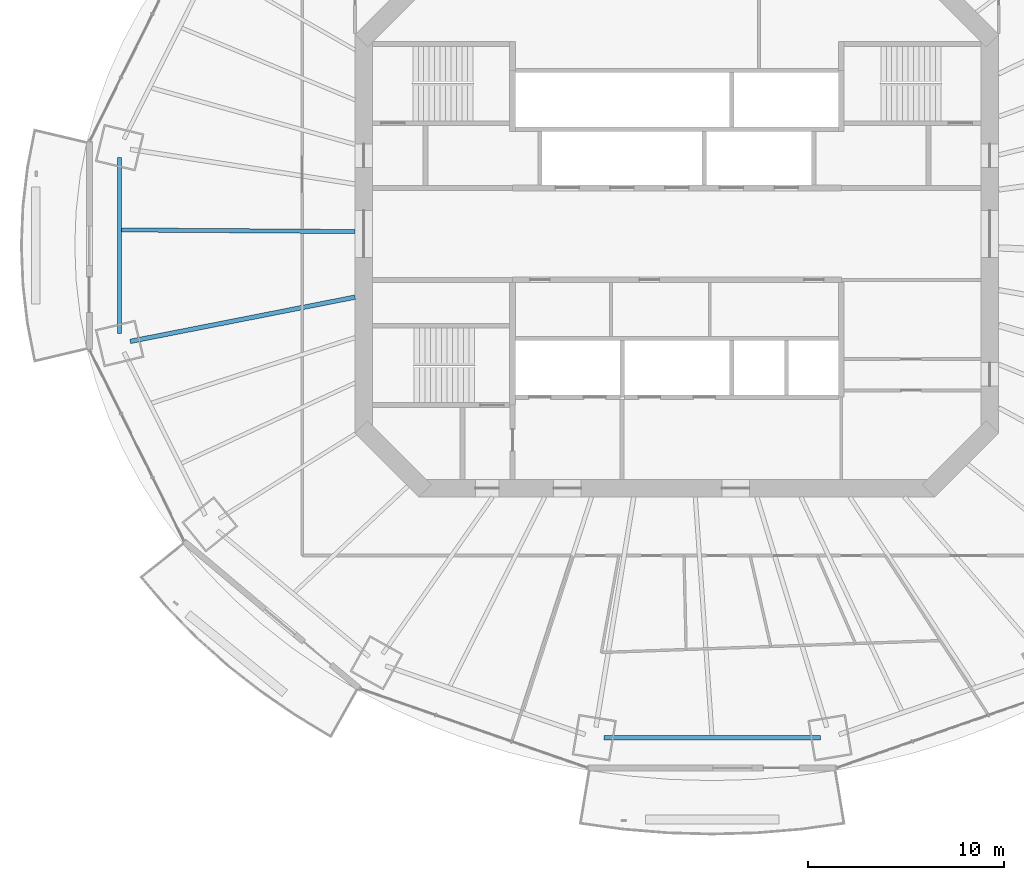
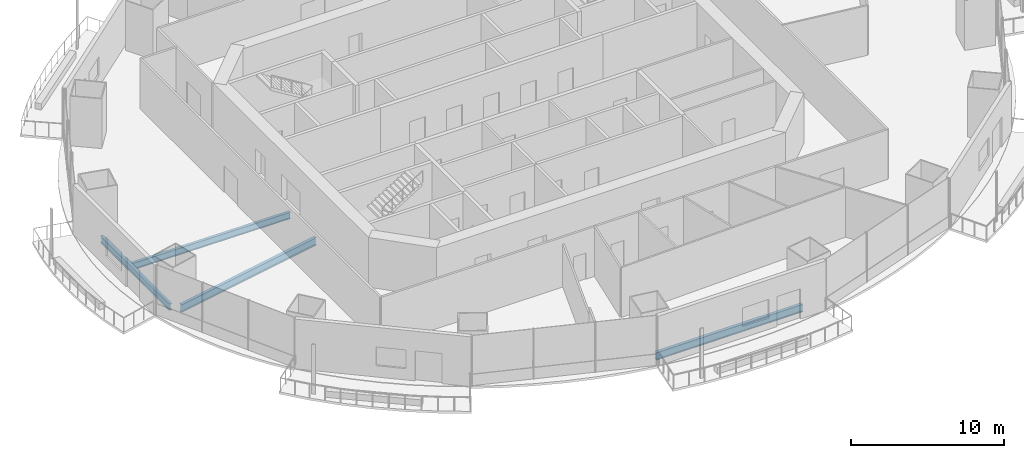
# One storey, part 3 of 20: 4 beams.
"""IFC4 building model written with IfcOpenShell, lengths in metres."""

from ifc_helpers import new_model, si_unit, direction, frame, origin, origin_2d, place, context, subcontext, project, spatial, i_section, extrude, material, material_profile, profile_set, type_object, element, save


model = new_model("IFC4")

# Units and contexts
model_context = context("Model", 3, precision=1e-05, world=origin(), true_north=direction((0.0, 1.0)))
body_context = subcontext(model_context, "Body", "Model", "MODEL_VIEW")
ifc_project = project(units=[si_unit("LENGTHUNIT", "METRE"), si_unit("AREAUNIT", "SQUARE_METRE"), si_unit("VOLUMEUNIT", "CUBIC_METRE"), si_unit("PLANEANGLEUNIT", "RADIAN"), si_unit("MASSUNIT", "GRAM", prefix="KILO")], contexts=[model_context])

# Site, building, storey
site_placement = place(None, origin())
site = spatial("IfcSite", under=ifc_project, at=site_placement, CompositionType="ELEMENT")
building_placement = place(site_placement, origin())
building = spatial("IfcBuilding", under=site, at=building_placement, Name="Marenthal Gate Tower", CompositionType="ELEMENT")
storey_placement = place(building_placement, frame((0.0, 0.0, 173.5)))
storey = spatial("IfcBuildingStorey", under=building, at=storey_placement, Name="L37", CompositionType="ELEMENT", Elevation=173.5)

# Beams
ifc_material_1 = material(Name="Steel S355", Category="steel")
ifc_material_profile_1 = material_profile(ifc_material_1, i_section(OverallWidth=0.2119140625, OverallDepth=0.5439453125, WebThickness=0.01318359375, FlangeThickness=0.021240234375, FilletRadius=0.0126953125, at=origin_2d()), Name="W530X123")
ifc_profile_set_1 = profile_set([ifc_material_profile_1], Name="Steel S355")
beam_type_1 = type_object("IfcBeamType", Name="W530X123 beam", PredefinedType="BEAM", material=ifc_profile_set_1)
beam_1_placement = place(storey_placement, frame((-28.377685546875, 0.19970703125, -0.451904296875), z_axis=(0.999975212374, -0.007040925844, 0.0), x_axis=(0.007040925844, 0.999975212374, 0.0)))
element("IfcBeam", 1, at=beam_1_placement, inside=storey, type_object=beam_type_1, Name="BM-L37-28", PredefinedType="BEAM", context=body_context, shape_type="SweptSolid", body=[
    extrude(i_section(OverallWidth=0.2119140625, OverallDepth=0.5439453125, WebThickness=0.01318359375, FlangeThickness=0.021240234375, FilletRadius=0.0126953125, at=origin_2d()), origin(), (0.0, 0.0, 1.0), 11.927978515625),
])
beam_2_placement = place(storey_placement, frame((-28.483642578125, 3.900634765625, -0.451904296875), z_axis=(0.0, -1.0, 0.0), x_axis=(1.0, 0.0, 0.0)))
element("IfcBeam", 2, at=beam_2_placement, inside=storey, type_object=beam_type_1, Name="BM-L37-48", PredefinedType="BEAM", context=body_context, shape_type="SweptSolid", body=[
    extrude(i_section(OverallWidth=0.2119140625, OverallDepth=0.5439453125, WebThickness=0.01318359375, FlangeThickness=0.021240234375, FilletRadius=0.0126953125, at=origin_2d()), origin(), (0.0, 0.0, 1.0), 9.001220703125),
])
ifc_material_2 = material(Name="Steel S355", Category="steel")
ifc_material_profile_2 = material_profile(ifc_material_2, i_section(OverallWidth=0.22900390625, OverallDepth=0.612060546875, WebThickness=0.011962890625, FlangeThickness=0.01953125, FilletRadius=0.0126953125, at=origin_2d()), Name="W610X125")
ifc_profile_set_2 = profile_set([ifc_material_profile_2], Name="Steel S355")
beam_type_2 = type_object("IfcBeamType", Name="W610X125 beam", PredefinedType="BEAM", material=ifc_profile_set_2)
beam_3_placement = place(storey_placement, frame((-27.943115234375, -5.4970703125, -0.486083984375), z_axis=(0.981193874076, 0.193024820881, 0.0), x_axis=(-0.193024820881, 0.981193874076, 0.0)))
element("IfcBeam", 3, at=beam_3_placement, inside=storey, type_object=beam_type_2, Name="BM-L37-09", PredefinedType="BEAM", context=body_context, shape_type="SweptSolid", body=[
    extrude(i_section(OverallWidth=0.22900390625, OverallDepth=0.612060546875, WebThickness=0.011962890625, FlangeThickness=0.01953125, FilletRadius=0.0126953125, at=origin_2d()), origin(), (0.0, 0.0, 1.0), 11.71337890625),
])
beam_4_placement = place(storey_placement, frame((-3.735595703125, -25.753173828125, -0.486083984375), z_axis=(1.0, 0.0, 0.0), x_axis=(0.0, 1.0, 0.0)))
element("IfcBeam", 4, at=beam_4_placement, inside=storey, type_object=beam_type_2, Name="BM-L37-52", PredefinedType="BEAM", context=body_context, shape_type="SweptSolid", body=[
    extrude(i_section(OverallWidth=0.22900390625, OverallDepth=0.612060546875, WebThickness=0.011962890625, FlangeThickness=0.01953125, FilletRadius=0.0126953125, at=origin_2d()), origin(), (0.0, 0.0, 1.0), 11.0712890625),
])

save(model, "model.ifc")
